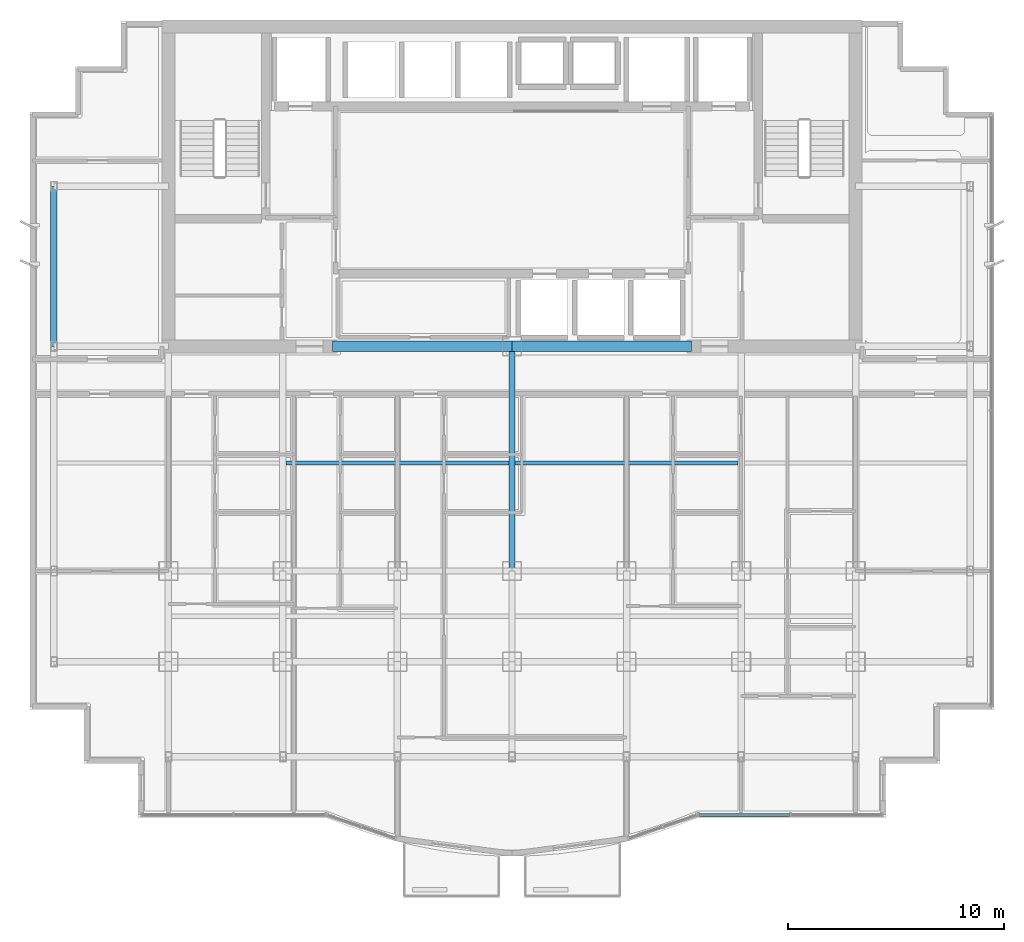
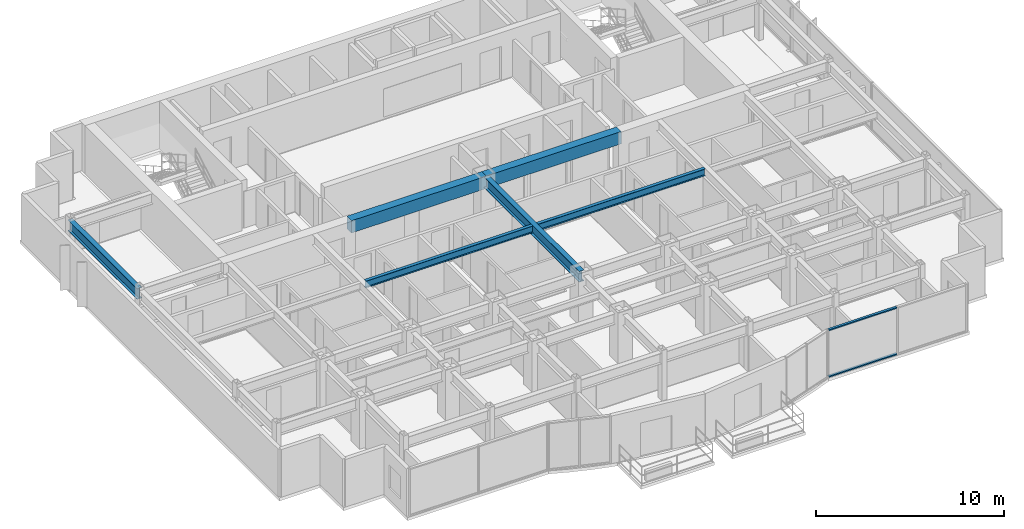
# One storey, part 3 of 13: 6 beams, 2 members, 1 element without a shape of its own.
"""IFC4 building model written with IfcOpenShell, lengths in metres."""

from ifc_helpers import new_model, si_unit, direction, frame, origin, origin_2d, place, context, subcontext, project, spatial, rectangle, i_section, extrude, source, transform, mapped, material, layer, layer_set, material_profile, profile_set, type_object, element, aggregate, save


model = new_model("IFC4")

# Units and contexts
model_context = context("Model", 3, precision=1e-05, world=origin(), true_north=direction((0.0, 1.0)))
body_context = subcontext(model_context, "Body", "Model", "MODEL_VIEW")
ifc_project = project(units=[si_unit("LENGTHUNIT", "METRE"), si_unit("AREAUNIT", "SQUARE_METRE"), si_unit("VOLUMEUNIT", "CUBIC_METRE"), si_unit("PLANEANGLEUNIT", "RADIAN"), si_unit("MASSUNIT", "GRAM", prefix="KILO")], contexts=[model_context])

# Site, building, storey
site_placement = place(None, origin())
site = spatial("IfcSite", under=ifc_project, at=site_placement, CompositionType="ELEMENT")
building_placement = place(site_placement, origin())
building = spatial("IfcBuilding", under=site, at=building_placement, Name="Qianlan Lanfeng Residences", CompositionType="ELEMENT")
storey_placement = place(building_placement, frame((0.0, 0.0, 139.199951171875)))
storey = spatial("IfcBuildingStorey", under=building, at=storey_placement, Name="L37", CompositionType="ELEMENT", Elevation=139.199951171875)

# Beams
ifc_material_1 = material(Name="Steel SN490B", Category="steel")
ifc_material_profile_1 = material_profile(ifc_material_1, i_section(OverallWidth=0.300048828125, OverallDepth=0.699951171875, WebThickness=0.012939453125, FlangeThickness=0.02392578125, at=origin_2d()), Name="H 700x300x13x24")
ifc_profile_set_1 = profile_set([ifc_material_profile_1], Name="Steel SN490B")
beam_type_1 = type_object("IfcBeamType", Name="G-750", PredefinedType="BEAM", material=ifc_profile_set_1)
beam_1_placement = place(storey_placement, frame((26.5, 14.800048828125, 2.75), z_axis=(0.0, 1.0, 0.0), x_axis=(-1.0, 0.0, 0.0)))
element("IfcBeam", 1, at=beam_1_placement, inside=storey, type_object=beam_type_1, Name="Structural beam G-750", PredefinedType="BEAM", context=body_context, shape_type="SweptSolid", body=[
    extrude(i_section(OverallWidth=0.300048828125, OverallDepth=0.699951171875, WebThickness=0.012939453125, FlangeThickness=0.02392578125, at=origin_2d()), origin(), (0.0, 0.0, 1.0), 10.39990234375),
])
ifc_material_profile_2 = material_profile(ifc_material_1, i_section(OverallWidth=0.199951171875, OverallDepth=0.449951171875, WebThickness=0.009033203125, FlangeThickness=0.013916015625, at=origin_2d()), Name="H 450x200x9x14")
ifc_profile_set_2 = profile_set([ifc_material_profile_2], Name="Steel SN490B")
beam_type_2 = type_object("IfcBeamType", Name="J-450", PredefinedType="JOIST", material=ifc_profile_set_2)
for number, where, z_axis, x_axis, name in (
    (2, (16.050048828125, 19.800048828125, 2.875), (1.0, 0.0, 0.0), (0.0, 1.0, 0.0), "Structural beam J-450"),
    (3, (26.64990234375, 19.800048828125, 2.875), (1.0, 0.0, 0.0), (0.0, 1.0, 0.0), "Structural beam J-450"),
):
    element("IfcBeam", number, at=place(storey_placement, frame(where, z_axis=z_axis, x_axis=x_axis)), inside=storey, type_object=beam_type_2, Name=name, PredefinedType="JOIST", context=body_context, shape_type="SweptSolid", body=[
        extrude(i_section(OverallWidth=0.199951171875, OverallDepth=0.449951171875, WebThickness=0.009033203125, FlangeThickness=0.013916015625, at=origin_2d()), origin(), (0.0, 0.0, 1.0), 10.300048828125),
    ])
ifc_material_2 = material(Name="Concrete C49", Category="concrete")
ifc_material_profile_3 = material_profile(ifc_material_2, rectangle(XDim=0.5, YDim=0.800048828125, at=origin_2d()), Name="RC 500x800")
ifc_profile_set_3 = profile_set([ifc_material_profile_3], Name="Concrete C49")
beam_type_3 = type_object("IfcBeamType", Name="LB-RC750", PredefinedType="BEAM", material=ifc_profile_set_3)
for number, where, z_axis, x_axis, name in (
    (4, (18.199951171875, 25.199951171875, 2.699951171875), (1.0, 0.0, 0.0), (0.0, 1.0, 0.0), "L37 Core Coupling Beam W"),
    (5, (26.5, 25.199951171875, 2.699951171875), (1.0, 0.0, 0.0), (0.0, 1.0, 0.0), "L37 Core Coupling Beam E"),
):
    element("IfcBeam", number, at=place(storey_placement, frame(where, z_axis=z_axis, x_axis=x_axis)), inside=storey, type_object=beam_type_3, Name=name, PredefinedType="BEAM", context=body_context, shape_type="SweptSolid", body=[
        extrude(rectangle(XDim=0.5, YDim=0.800048828125, at=origin_2d()), origin(), (0.0, 0.0, 1.0), 8.300048828125),
    ])
ifc_material_profile_4 = material_profile(ifc_material_1, i_section(OverallWidth=0.300048828125, OverallDepth=0.699951171875, WebThickness=0.012939453125, FlangeThickness=0.02392578125, at=origin_2d()), Name="H 700x300x13x24")
ifc_profile_set_4 = profile_set([ifc_material_profile_4], Name="Steel SN490B")
beam_type_4 = type_object("IfcBeamType", Name="SG-750", PredefinedType="SPANDREL", material=ifc_profile_set_4)
beam_2_placement = place(storey_placement, frame((5.300048828125, 25.199951171875, 2.739990234375), z_axis=(0.0, 1.0, 0.0), x_axis=(-1.0, 0.0, 0.0)))
element("IfcBeam", 6, at=beam_2_placement, inside=storey, type_object=beam_type_4, Name="Structural beam SG-750", PredefinedType="SPANDREL", context=body_context, shape_type="SweptSolid", body=[
    extrude(i_section(OverallWidth=0.300048828125, OverallDepth=0.699951171875, WebThickness=0.012939453125, FlangeThickness=0.02392578125, at=origin_2d()), origin(), (0.0, 0.0, 1.0), 7.400146484375),
])

# Curtain wall, members
ifc_material_3 = material(Name="Anodised Bronze Aluminium 6063-T6", Category="aluminium")
ifc_layer = layer(ifc_material_3, 0.219970703125)
ifc_layer_set = layer_set([ifc_layer], Name="Anodised Bronze Aluminium 6063-T6")
curtain_wall_type = type_object("IfcCurtainWallType", Name="CW-04", PredefinedType="NOTDEFINED", material=ifc_layer_set)
curtain_wall_placement = place(storey_placement, origin())
curtain_wall = element("IfcCurtainWall", 7, at=curtain_wall_placement, inside=storey, type_object=curtain_wall_type, Name="L37 Unitised Curtain Wall CWR-L37-04 (CW-04)", PredefinedType="NOTDEFINED")
ifc_material_profile_5 = material_profile(ifc_material_3, rectangle(XDim=0.074951171875, YDim=0.14990234375, at=origin_2d()), Name="ALU TRANSOM 75x150")
ifc_profile_set_5 = profile_set([ifc_material_profile_5], Name="Anodised Bronze Aluminium 6063-T6")
member_type = type_object("IfcMemberType", Name="CWT-150", PredefinedType="USERDEFINED", material=ifc_profile_set_5)
shared_shape = source(origin(), body_context, "Body", "SweptSolid", [
    extrude(rectangle(XDim=0.074951171875, YDim=0.14990234375, at=origin_2d()), origin(), (0.0, 0.0, 1.0), 4.178955078125),
])
member_1_placement = place(storey_placement, frame((35.172119140625, 3.52001953125, 0.03759765625), z_axis=(1.0, 0.0, 0.0), x_axis=(0.0, 0.0, 1.0)))
member_1 = element("IfcMember", 8, at=member_1_placement, type_object=member_type, Name="CWR-L37-04 Transom 1-BOT", ObjectType="TRANSOM", PredefinedType="USERDEFINED", context=body_context, shape_type="MappedRepresentation", body=[
    mapped(shared_shape, transform((0.0, 0.0, 0.0), scale=1.0)),
])
member_2_placement = place(storey_placement, frame((35.172119140625, 3.52001953125, 3.0625), z_axis=(1.0, 0.0, 0.0), x_axis=(0.0, 0.0, 1.0)))
member_2 = element("IfcMember", 9, at=member_2_placement, type_object=member_type, Name="CWR-L37-04 Transom 1-TOP", ObjectType="TRANSOM", PredefinedType="USERDEFINED", context=body_context, shape_type="MappedRepresentation", body=[
    mapped(shared_shape, transform((0.0, 0.0, 0.0), scale=1.0)),
])
aggregate(curtain_wall, [member_1, member_2])

save(model, "model.ifc")
